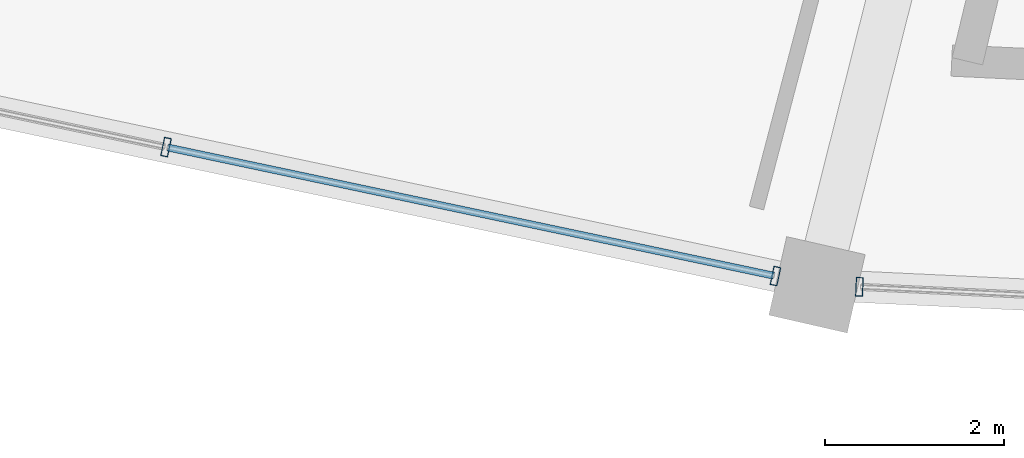
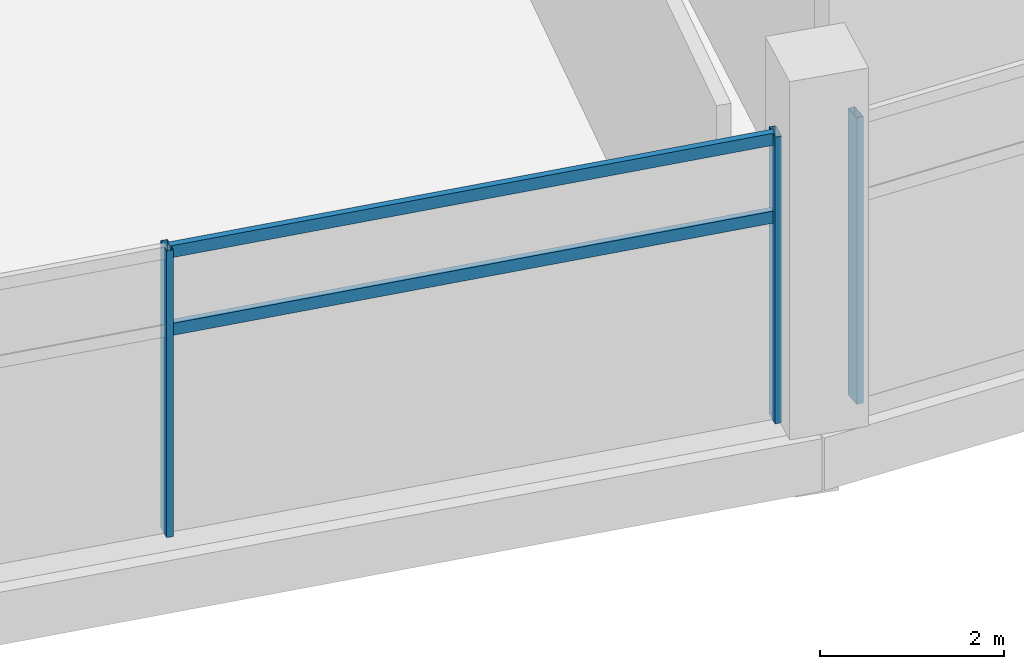
# One storey, part 15 of 171: 5 members, 2 elements without a shape of their own.
"""IFC4 building model written with IfcOpenShell, lengths in metres."""

from ifc_helpers import new_model, si_unit, direction, frame, origin, origin_2d, place, context, subcontext, project, spatial, hollow_rectangle, extrude, material, layer, layer_set, material_profile, profile_set, type_object, element, aggregate, save


model = new_model("IFC4")

# Units and contexts
model_context = context("Model", 3, precision=1e-05, world=origin(), true_north=direction((0.0, 1.0)))
body_context = subcontext(model_context, "Body", "Model", "MODEL_VIEW")
ifc_project = project(units=[si_unit("LENGTHUNIT", "METRE"), si_unit("AREAUNIT", "SQUARE_METRE"), si_unit("VOLUMEUNIT", "CUBIC_METRE"), si_unit("PLANEANGLEUNIT", "RADIAN"), si_unit("MASSUNIT", "GRAM", prefix="KILO")], contexts=[model_context])

# Site, building, storey
site_placement = place(None, origin())
site = spatial("IfcSite", under=ifc_project, at=site_placement, CompositionType="ELEMENT")
building_placement = place(site_placement, origin())
building = spatial("IfcBuilding", under=site, at=building_placement, Name="Kazemori Nagisa Stadium", CompositionType="ELEMENT")
storey_placement = place(building_placement, frame((0.0, 0.0, 15.639892578125)))
storey = spatial("IfcBuildingStorey", under=building, at=storey_placement, Name="L03", CompositionType="ELEMENT", Elevation=15.639892578125)

# Curtain wall, members
ifc_material_1 = material(Name="Anodised aluminium 6063-T5", Category="aluminium")
ifc_layer_1 = layer(ifc_material_1, 0.2099609375, Name="Anodised aluminium 6063-T5", Category="aluminium")
ifc_layer_set_1 = layer_set([ifc_layer_1], Name="Anodised aluminium 6063-T5")
curtain_wall_type_1 = type_object("IfcCurtainWallType", Name="CW_L03R3_105", PredefinedType="USERDEFINED", material=ifc_layer_set_1)
curtain_wall_1_placement = place(storey_placement, origin())
curtain_wall_1 = element("IfcCurtainWall", 1, at=curtain_wall_1_placement, inside=storey, type_object=curtain_wall_type_1, Name="Unitised curtain wall CW-L03R3-105 L03", ObjectType="UNITISED CURTAIN WALL", PredefinedType="USERDEFINED")
ifc_material_2 = material(Name="Aluminium 6063-T5 anodised", Category="aluminium")
ifc_material_profile_1 = material_profile(ifc_material_2, hollow_rectangle(XDim=0.080078125, YDim=0.2099609375, WallThickness=0.0048828125, at=origin_2d()), Name="ALU-MULL-80x210x5")
ifc_profile_set_1 = profile_set([ifc_material_profile_1], Name="Aluminium 6063-T5 anodised")
member_type_1 = type_object("IfcMemberType", Name="Mullion_M02", PredefinedType="MULLION", material=ifc_profile_set_1)
member_1_placement = place(storey_placement, frame((94.291748046875, 18.553466796875, 0.0), z_axis=(0.0, 0.0, 1.0), x_axis=(0.978344955407, -0.206981033502, 0.0)))
member_1 = element("IfcMember", 2, at=member_1_placement, type_object=member_type_1, Name="Curtain wall mullion CW-L03R3-105-M3", PredefinedType="MULLION", context=body_context, shape_type="SweptSolid", body=[
    extrude(hollow_rectangle(XDim=0.080078125, YDim=0.2099609375, WallThickness=0.0048828125, at=origin_2d()), origin(), (0.0, 0.0, 1.0), 3.81005859375),
])
member_2_placement = place(storey_placement, frame((101.107666015625, 17.111572265625, 0.0), z_axis=(0.0, 0.0, 1.0), x_axis=(0.978344955407, -0.206981033502, 0.0)))
member_2 = element("IfcMember", 3, at=member_2_placement, type_object=member_type_1, Name="Curtain wall mullion CW-L03R3-105-M4", PredefinedType="MULLION", context=body_context, shape_type="SweptSolid", body=[
    extrude(hollow_rectangle(XDim=0.080078125, YDim=0.2099609375, WallThickness=0.0048828125, at=origin_2d()), origin(), (0.0, 0.0, 1.0), 3.81005859375),
])

# Curtain wall, member
ifc_layer_2 = layer(ifc_material_1, 0.2099609375, Name="Anodised aluminium 6063-T5", Category="aluminium")
ifc_layer_set_2 = layer_set([ifc_layer_2], Name="Anodised aluminium 6063-T5")
curtain_wall_type_2 = type_object("IfcCurtainWallType", Name="CW_L03R3_103", PredefinedType="USERDEFINED", material=ifc_layer_set_2)
curtain_wall_2_placement = place(storey_placement, origin())
curtain_wall_2 = element("IfcCurtainWall", 4, at=curtain_wall_2_placement, inside=storey, type_object=curtain_wall_type_2, Name="Unitised curtain wall CW-L03R3-103 L03", ObjectType="UNITISED CURTAIN WALL", PredefinedType="USERDEFINED")
member_3_placement = place(storey_placement, frame((102.046875, 16.99072265625, 0.0), z_axis=(0.0, 0.0, 1.0), x_axis=(0.998884022476, -0.047230388971, 0.0)))
member_3 = element("IfcMember", 5, at=member_3_placement, type_object=member_type_1, Name="Curtain wall mullion CW-L03R3-103-M1", PredefinedType="MULLION", context=body_context, shape_type="SweptSolid", body=[
    extrude(hollow_rectangle(XDim=0.080078125, YDim=0.2099609375, WallThickness=0.0048828125, at=origin_2d()), origin(), (0.0, 0.0, 1.0), 3.81005859375),
])
aggregate(curtain_wall_2, [member_3])

# Member
ifc_material_profile_2 = material_profile(ifc_material_2, hollow_rectangle(XDim=0.080078125, YDim=0.159912109375, WallThickness=0.00390625, at=origin_2d()), Name="ALU-TRAN-80x160x4")
ifc_profile_set_2 = profile_set([ifc_material_profile_2], Name="Aluminium 6063-T5 anodised")
member_type_2 = type_object("IfcMemberType", Name="Transom_T02", PredefinedType="USERDEFINED", material=ifc_profile_set_2)
member_4_placement = place(storey_placement, frame((94.311279296875, 18.54931640625, 2.705322265625), z_axis=(0.978348879673, -0.20696248366, 0.0), x_axis=(0.20696248366, 0.978348879673, 0.0)))
member_4 = element("IfcMember", 6, at=member_4_placement, type_object=member_type_2, Name="Curtain wall transom CW-L03R3-105-T3-mid", ObjectType="TRANSOM", PredefinedType="USERDEFINED", context=body_context, shape_type="SweptSolid", body=[
    extrude(hollow_rectangle(XDim=0.080078125, YDim=0.159912109375, WallThickness=0.00390625, at=origin_2d()), origin(), (0.0, 0.0, 1.0), 6.9267578125),
])

member_5_placement = place(storey_placement, frame((94.311279296875, 18.54931640625, 3.739990234375), z_axis=(0.978348879673, -0.20696248366, 0.0), x_axis=(0.20696248366, 0.978348879673, 0.0)))
member_5 = element("IfcMember", 7, at=member_5_placement, type_object=member_type_2, Name="Curtain wall transom CW-L03R3-105-T3-head", ObjectType="TRANSOM", PredefinedType="USERDEFINED", context=body_context, shape_type="SweptSolid", body=[
    extrude(hollow_rectangle(XDim=0.080078125, YDim=0.159912109375, WallThickness=0.00390625, at=origin_2d()), origin(), (0.0, 0.0, 1.0), 6.9267578125),
])

aggregate(curtain_wall_1, [member_1, member_2, member_4, member_5])

save(model, "model.ifc")
